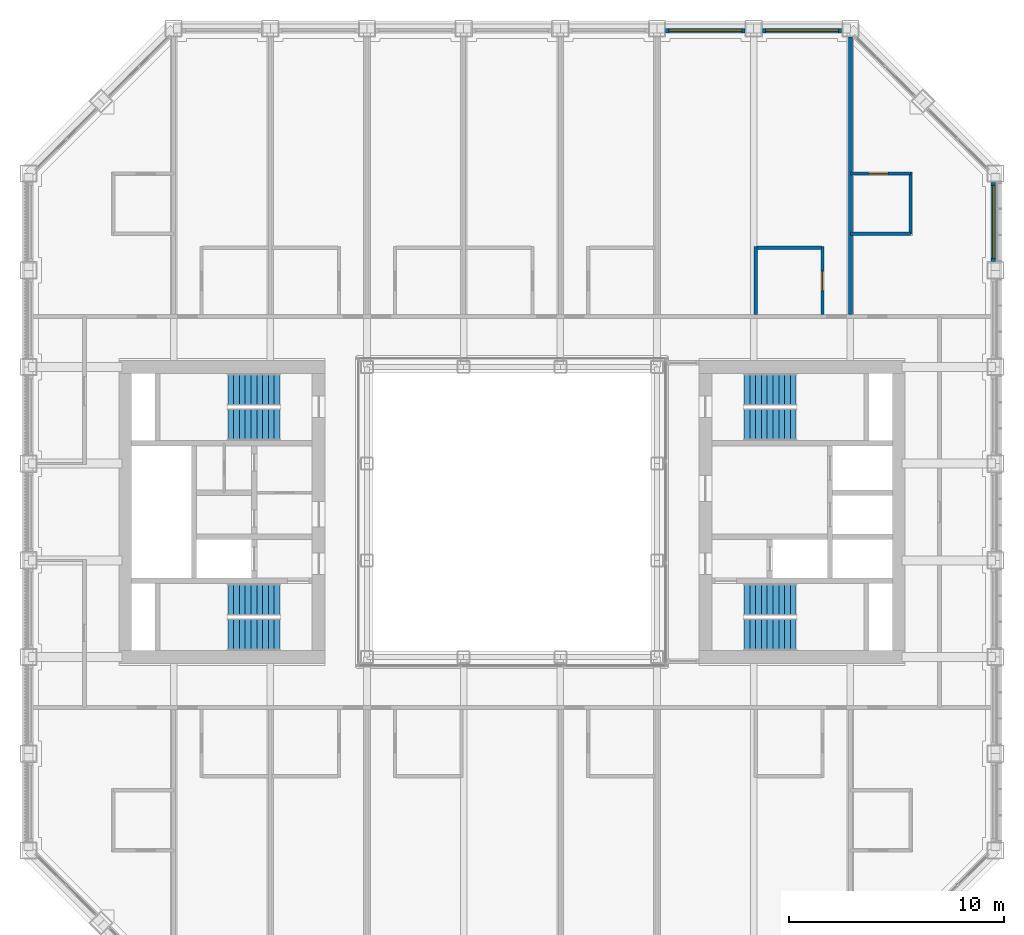
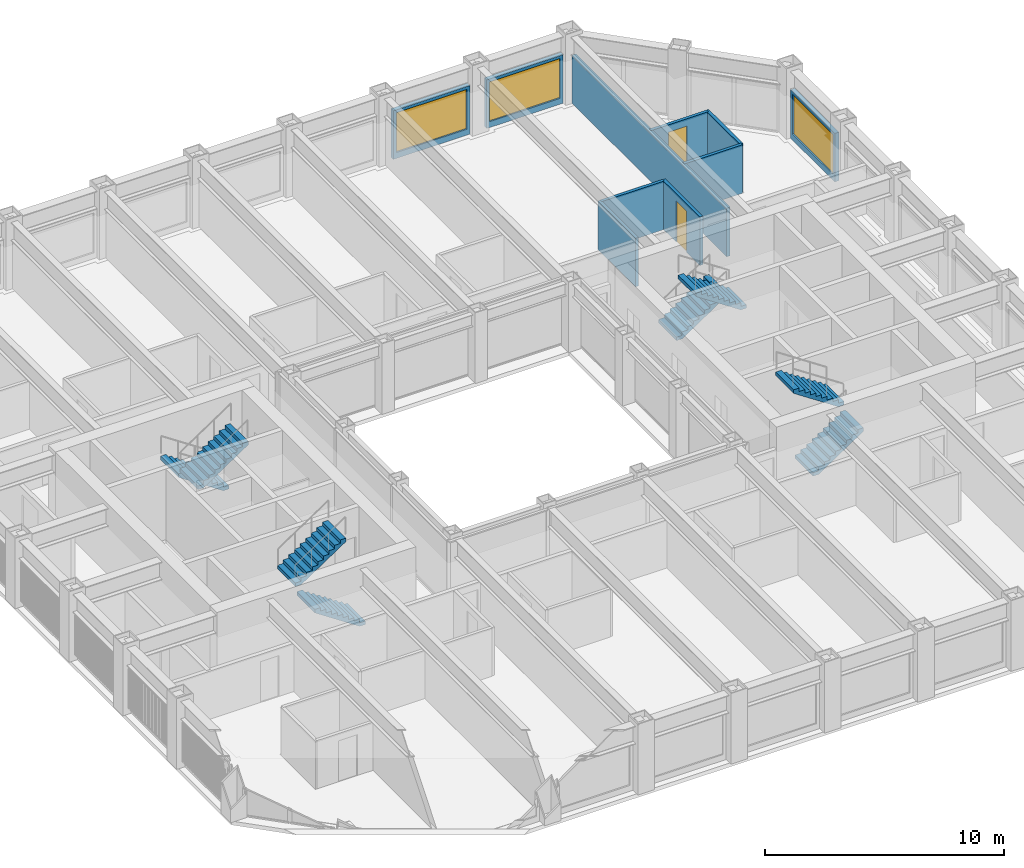
# One storey, part 14 of 17: 10 walls, 8 stair flights, 3 windows, 2 doors, 5 openings, 4 elements without a shape of their own.
"""IFC4 building model written with IfcOpenShell, lengths in metres."""

from ifc_helpers import new_model, si_unit, direction, frame, frame_2d, origin, place, context, subcontext, project, spatial, polyline, rectangle, outline, extrude, material, layer, layer_set, type_object, element, fill, aggregate, save


model = new_model("IFC4")

# Units and contexts
model_context = context("Model", 3, precision=1e-05, world=origin(), true_north=direction((0.0, 1.0)))
body_context = subcontext(model_context, "Body", "Model", "MODEL_VIEW")
ifc_project = project(units=[si_unit("LENGTHUNIT", "METRE"), si_unit("AREAUNIT", "SQUARE_METRE"), si_unit("VOLUMEUNIT", "CUBIC_METRE"), si_unit("PLANEANGLEUNIT", "RADIAN"), si_unit("MASSUNIT", "GRAM", prefix="KILO")], contexts=[model_context])

# Site, building, storey
site_placement = place(None, origin())
site = spatial("IfcSite", under=ifc_project, at=site_placement, CompositionType="ELEMENT")
building_placement = place(site_placement, origin())
building = spatial("IfcBuilding", under=site, at=building_placement, Name="Msasa Ring Tower", CompositionType="ELEMENT")
storey_placement = place(building_placement, frame((0.0, 0.0, 140.0)))
storey = spatial("IfcBuildingStorey", under=building, at=storey_placement, Name="L36", CompositionType="ELEMENT", Elevation=140.0)

# Wall, opening, window
ifc_material_1 = material(Name="Terracotta rainscreen on blockwork", Category="masonry")
ifc_layer_1 = layer(ifc_material_1, 0.199951171875)
ifc_layer_set_1 = layer_set([ifc_layer_1], Name="FW1 TERRACOTTA-LINED INFILL BAY WALL 200")
wall_type_1 = type_object("IfcWallType", Name="FW1 TERRACOTTA-LINED INFILL BAY WALL 200", PredefinedType="SOLIDWALL", material=ifc_layer_set_1)
wall_1_placement = place(storey_placement, frame((22.39990234375, 11.655029296875, 0.0), z_axis=(0.0, 0.0, 1.0), x_axis=(0.0, 1.0, 0.0)))
wall_1 = element("IfcWall", 1, at=wall_1_placement, inside=storey, type_object=wall_type_1, Name="Infill bay wall E L36 15", PredefinedType="SOLIDWALL", context=body_context, shape_type="SweptSolid", body=[
    extrude(rectangle(XDim=3.68994140625, YDim=0.199951171875, at=frame_2d((1.844970703125, 0.0))), origin(), (0.0, 0.0, 1.0), 2.47900390625),
])
opening_1_placement = place(wall_1_placement, frame((0.14501953125, 0.0, 0.300048828125)))
opening_1 = element("IfcOpeningElement", 2, at=opening_1_placement, cuts=wall_1, Name="Opening WN2", PredefinedType="OPENING", context=body_context, shape_type="SweptSolid", body=[
    extrude(rectangle(XDim=3.39990234375, YDim=2.029052734375, at=frame_2d((1.699951171875, 1.0146484375))), frame((0.0, 0.10986328125, 0.0), z_axis=(0.0, -1.0, 0.0), x_axis=(1.0, 0.0, 0.0)), (0.0, 0.0, 1.0), 0.219970703125),
])
ifc_material_2 = material(Name="Aluminium frame with clear glass", Category="aluminium")
window_type = type_object("IfcWindowType", Name="WN2 GUEST ROOM WINDOW 3400x2029", PartitioningType="SINGLE_PANEL", PredefinedType="WINDOW", material=ifc_material_2)
window_1_placement = place(opening_1_placement, origin())
window_1 = element("IfcWindow", 3, at=window_1_placement, inside=storey, type_object=window_type, Name="Window E L36 15", OverallHeight=2.029052734375, OverallWidth=3.39990234375, PartitioningType="SINGLE_PANEL", PredefinedType="WINDOW", context=body_context, shape_type="SweptSolid", body=[
    extrude(rectangle(XDim=3.39990234375, YDim=2.029052734375, at=frame_2d((1.699951171875, 1.0146484375))), frame((0.0, 0.030029296875, 0.0), z_axis=(0.0, -1.0, 0.0), x_axis=(1.0, 0.0, 0.0)), (0.0, 0.0, 1.0), 0.06005859375),
])
fill(opening_1, window_1)

wall_2_placement = place(storey_placement, frame((7.155029296875, 22.39990234375, 0.0), z_axis=(0.0, 0.0, 1.0), x_axis=(1.0, 0.0, 0.0)))
wall_2 = element("IfcWall", 4, at=wall_2_placement, inside=storey, type_object=wall_type_1, Name="Infill bay wall N L36 23", PredefinedType="SOLIDWALL", context=body_context, shape_type="SweptSolid", body=[
    extrude(rectangle(XDim=3.68994140625, YDim=0.199951171875, at=frame_2d((1.844970703125, 0.0))), origin(), (0.0, 0.0, 1.0), 2.47900390625),
])
opening_2_placement = place(wall_2_placement, frame((0.14501953125, 0.0, 0.300048828125)))
opening_2 = element("IfcOpeningElement", 5, at=opening_2_placement, cuts=wall_2, Name="Opening WN2", PredefinedType="OPENING", context=body_context, shape_type="SweptSolid", body=[
    extrude(rectangle(XDim=3.39990234375, YDim=2.029052734375, at=frame_2d((1.699951171875, 1.0146484375))), frame((0.0, 0.10986328125, 0.0), z_axis=(0.0, -1.0, 0.0), x_axis=(1.0, 0.0, 0.0)), (0.0, 0.0, 1.0), 0.219970703125),
])
window_2_placement = place(opening_2_placement, origin())
window_2 = element("IfcWindow", 6, at=window_2_placement, inside=storey, type_object=window_type, Name="Window N L36 23", OverallHeight=2.029052734375, OverallWidth=3.39990234375, PartitioningType="SINGLE_PANEL", PredefinedType="WINDOW", context=body_context, shape_type="SweptSolid", body=[
    extrude(rectangle(XDim=3.39990234375, YDim=2.029052734375, at=frame_2d((1.699951171875, 1.0146484375))), frame((0.0, 0.030029296875, 0.0), z_axis=(0.0, -1.0, 0.0), x_axis=(1.0, 0.0, 0.0)), (0.0, 0.0, 1.0), 0.06005859375),
])
fill(opening_2, window_2)

wall_3_placement = place(storey_placement, frame((11.655029296875, 22.39990234375, 0.0), z_axis=(0.0, 0.0, 1.0), x_axis=(1.0, 0.0, 0.0)))
wall_3 = element("IfcWall", 7, at=wall_3_placement, inside=storey, type_object=wall_type_1, Name="Infill bay wall N L36 24", PredefinedType="SOLIDWALL", context=body_context, shape_type="SweptSolid", body=[
    extrude(rectangle(XDim=3.68994140625, YDim=0.199951171875, at=frame_2d((1.844970703125, 0.0))), origin(), (0.0, 0.0, 1.0), 2.47900390625),
])
opening_3_placement = place(wall_3_placement, frame((0.14501953125, 0.0, 0.300048828125)))
opening_3 = element("IfcOpeningElement", 8, at=opening_3_placement, cuts=wall_3, Name="Opening WN2", PredefinedType="OPENING", context=body_context, shape_type="SweptSolid", body=[
    extrude(rectangle(XDim=3.39990234375, YDim=2.029052734375, at=frame_2d((1.699951171875, 1.0146484375))), frame((0.0, 0.10986328125, 0.0), z_axis=(0.0, -1.0, 0.0), x_axis=(1.0, 0.0, 0.0)), (0.0, 0.0, 1.0), 0.219970703125),
])
window_3_placement = place(opening_3_placement, origin())
window_3 = element("IfcWindow", 9, at=window_3_placement, inside=storey, type_object=window_type, Name="Window N L36 24", OverallHeight=2.029052734375, OverallWidth=3.39990234375, PartitioningType="SINGLE_PANEL", PredefinedType="WINDOW", context=body_context, shape_type="SweptSolid", body=[
    extrude(rectangle(XDim=3.39990234375, YDim=2.029052734375, at=frame_2d((1.699951171875, 1.0146484375))), frame((0.0, 0.030029296875, 0.0), z_axis=(0.0, -1.0, 0.0), x_axis=(1.0, 0.0, 0.0)), (0.0, 0.0, 1.0), 0.06005859375),
])
fill(opening_3, window_3)

# Wall, opening, door
ifc_material_3 = material(Name="Moisture-resistant board on steel studs with a concealed cistern and pipe void, tiled", Category="steel")
ifc_layer_2 = layer(ifc_material_3, 0.14990234375)
ifc_layer_set_2 = layer_set([ifc_layer_2], Name="PT4 BATHROOM WET WALL 150")
wall_type_2 = type_object("IfcWallType", Name="PT4 BATHROOM WET WALL 150", PredefinedType="PARTITIONING", material=ifc_layer_set_2)
wall_4_placement = place(storey_placement, frame((14.449951171875, 9.199951171875, 0.0), z_axis=(0.0, 0.0, 1.0), x_axis=(0.0, 1.0, 0.0)))
wall_4 = element("IfcWall", 10, at=wall_4_placement, inside=storey, type_object=wall_type_2, Name="Partition L36-GN05BX", PredefinedType="PARTITIONING", context=body_context, shape_type="SweptSolid", body=[
    extrude(rectangle(XDim=3.150146484375, YDim=0.14990234375, at=frame_2d((1.5751953125, 0.0))), origin(), (0.0, 0.0, 1.0), 2.473388671875),
])
opening_4_placement = place(wall_4_placement, frame((1.10009765625, 0.0, 0.0)))
opening_4 = element("IfcOpeningElement", 11, at=opening_4_placement, cuts=wall_4, Name="Opening HC-008", PredefinedType="OPENING", context=body_context, shape_type="SweptSolid", body=[
    extrude(rectangle(XDim=0.89990234375, YDim=2.10009765625, at=frame_2d((0.449951171875, 1.050048828125))), frame((0.0, 0.0849609375, 0.0), z_axis=(0.0, -1.0, 0.0), x_axis=(1.0, 0.0, 0.0)), (0.0, 0.0, 1.0), 0.169921875),
])
ifc_material_4 = material(Name="Timber door leaf in a steel frame", Category="steel")
door_type = type_object("IfcDoorType", Name="D3 BATHROOM DOOR 900x2100", OperationType="SINGLE_SWING_LEFT", PredefinedType="DOOR", material=ifc_material_4)
door_1_placement = place(opening_4_placement, origin())
door_1 = element("IfcDoor", 12, at=door_1_placement, inside=storey, type_object=door_type, Name="Door L36-GN05B", OperationType="SINGLE_SWING_LEFT", OverallHeight=2.10009765625, OverallWidth=0.89990234375, PredefinedType="DOOR", context=body_context, shape_type="SweptSolid", body=[
    extrude(rectangle(XDim=0.89990234375, YDim=2.10009765625, at=frame_2d((0.449951171875, 1.050048828125))), frame((0.0, 0.02490234375, 0.0), z_axis=(0.0, -1.0, 0.0), x_axis=(1.0, 0.0, 0.0)), (0.0, 0.0, 1.0), 0.050048828125),
])
fill(opening_4, door_1)

# Walls
wall_5_placement = place(storey_placement, frame((11.35009765625, 9.199951171875, 0.0), z_axis=(0.0, 0.0, 1.0), x_axis=(0.0, 1.0, 0.0)))
element("IfcWall", 13, at=wall_5_placement, inside=storey, type_object=wall_type_2, Name="Partition L36-GN05BF", PredefinedType="PARTITIONING", context=body_context, shape_type="SweptSolid", body=[
    extrude(rectangle(XDim=3.150146484375, YDim=0.14990234375, at=frame_2d((1.5751953125, 0.0))), origin(), (0.0, 0.0, 1.0), 2.473388671875),
])
wall_6_placement = place(storey_placement, frame((11.39990234375, 12.300048828125, 0.0), z_axis=(0.0, 0.0, 1.0), x_axis=(1.0, 0.0, 0.0)))
element("IfcWall", 14, at=wall_6_placement, inside=storey, type_object=wall_type_2, Name="Partition L36-GN05BY", PredefinedType="PARTITIONING", context=body_context, shape_type="SweptSolid", body=[
    extrude(rectangle(XDim=3.0, YDim=0.14990234375, at=frame_2d((1.5, 0.0))), origin(), (0.0, 0.0, 1.0), 2.473388671875),
])
wall_7_placement = place(storey_placement, frame((18.550048828125, 12.949951171875, 0.0), z_axis=(0.0, 0.0, 1.0), x_axis=(0.0, 1.0, 0.0)))
element("IfcWall", 15, at=wall_7_placement, inside=storey, type_object=wall_type_2, Name="Partition L36-CSNEBX", PredefinedType="PARTITIONING", context=body_context, shape_type="SweptSolid", body=[
    extrude(rectangle(XDim=2.875, YDim=0.14990234375, at=frame_2d((1.4375, 0.0))), origin(), (0.0, 0.0, 1.0), 2.473388671875),
])
wall_8_placement = place(storey_placement, frame((15.75, 12.949951171875, 0.0), z_axis=(0.0, 0.0, 1.0), x_axis=(1.0, 0.0, 0.0)))
element("IfcWall", 16, at=wall_8_placement, inside=storey, type_object=wall_type_2, Name="Partition L36-CSNEBY", PredefinedType="PARTITIONING", context=body_context, shape_type="SweptSolid", body=[
    extrude(rectangle(XDim=2.800048828125, YDim=0.14990234375, at=frame_2d((1.39990234375, 0.0))), origin(), (0.0, 0.0, 1.0), 2.473388671875),
])

# Wall, opening, door
wall_9_placement = place(storey_placement, frame((15.75, 15.75, 0.0), z_axis=(0.0, 0.0, 1.0), x_axis=(1.0, 0.0, 0.0)))
wall_9 = element("IfcWall", 17, at=wall_9_placement, inside=storey, type_object=wall_type_2, Name="Partition L36-CSNEBZ", PredefinedType="PARTITIONING", context=body_context, shape_type="SweptSolid", body=[
    extrude(rectangle(XDim=2.800048828125, YDim=0.14990234375, at=frame_2d((1.39990234375, 0.0))), origin(), (0.0, 0.0, 1.0), 2.473388671875),
])
opening_5_placement = place(wall_9_placement, frame((0.85009765625, 0.0, 0.0)))
opening_5 = element("IfcOpeningElement", 18, at=opening_5_placement, cuts=wall_9, Name="Opening HC-002", PredefinedType="OPENING", context=body_context, shape_type="SweptSolid", body=[
    extrude(rectangle(XDim=0.89990234375, YDim=2.10009765625, at=frame_2d((0.449951171875, 1.050048828125))), frame((0.0, 0.0849609375, 0.0), z_axis=(0.0, -1.0, 0.0), x_axis=(1.0, 0.0, 0.0)), (0.0, 0.0, 1.0), 0.169921875),
])
door_2_placement = place(opening_5_placement, origin())
door_2 = element("IfcDoor", 19, at=door_2_placement, inside=storey, type_object=door_type, Name="Door L36-CSNEB1", OperationType="SINGLE_SWING_LEFT", OverallHeight=2.10009765625, OverallWidth=0.89990234375, PredefinedType="DOOR", context=body_context, shape_type="SweptSolid", body=[
    extrude(rectangle(XDim=0.89990234375, YDim=2.10009765625, at=frame_2d((0.449951171875, 1.050048828125))), frame((0.0, 0.02490234375, 0.0), z_axis=(0.0, -1.0, 0.0), x_axis=(1.0, 0.0, 0.0)), (0.0, 0.0, 1.0), 0.050048828125),
])
fill(opening_5, door_2)

# Wall
ifc_material_5 = material(Name="Twin steel studs, two layers of acoustic board each face, mineral wool", Category="steel")
ifc_layer_3 = layer(ifc_material_5, 0.175048828125)
ifc_layer_set_3 = layer_set([ifc_layer_3], Name="PT5 GUEST ROOM SEPARATING WALL 175")
wall_type_3 = type_object("IfcWallType", Name="PT5 GUEST ROOM SEPARATING WALL 175", PredefinedType="PARTITIONING", material=ifc_layer_set_3)
wall_10_placement = place(storey_placement, frame((15.75, 9.199951171875, 0.0), z_axis=(0.0, 0.0, 1.0), x_axis=(0.0, 1.0, 0.0)))
element("IfcWall", 20, at=wall_10_placement, inside=storey, type_object=wall_type_3, Name="Partition L36-PWN+15.75", PredefinedType="PARTITIONING", context=body_context, shape_type="SweptSolid", body=[
    extrude(rectangle(XDim=12.900146484375, YDim=0.175048828125, at=frame_2d((6.4501953125, 0.0))), origin(), (0.0, 0.0, 1.0), 2.473388671875),
])

# Stair, stair flights
ifc_material_6 = material(Name="Concrete C40/50", Category="concrete")
stair_type = type_object("IfcStairType", Name="STC CORE STAIR 20 RISERS 180", PredefinedType="HALF_TURN_STAIR", material=ifc_material_6)
stair_1_placement = place(storey_placement, origin())
stair_1 = element("IfcStair", 21, at=stair_1_placement, inside=storey, type_object=stair_type, Name="Core stair SEA L36", PredefinedType="HALF_TURN_STAIR")
ifc_material_7 = material(Name="Concrete C40/50", Category="concrete")
stair_flight_type = type_object("IfcStairFlightType", Name="ST14 CORE STAIR FLIGHT 1500 10 RISERS 180", PredefinedType="STRAIGHT", material=ifc_material_7)
stair_flight_1_placement = place(storey_placement, frame((10.800048828125, -5.699951171875, 0.0), z_axis=(0.0, 0.0, 1.0), x_axis=(1.0, 0.0, 0.0)))
stair_flight_1 = element("IfcStairFlight", 22, at=stair_flight_1_placement, type_object=stair_flight_type, Name="SEA flight 1", NumberOfRisers=10, NumberOfTreads=9, PredefinedType="STRAIGHT", RiserHeight=0.18, TreadLength=0.27, context=body_context, shape_type="SweptSolid", body=[
    extrude(outline(polyline([(0.0, 0.0), (0.0, 0.179931640625), (0.27001953125, 0.179931640625), (0.27001953125, 0.360107421875), (0.5400390625, 0.360107421875), (0.5400390625, 0.5400390625), (0.81005859375, 0.5400390625), (0.81005859375, 0.719970703125), (1.080078125, 0.719970703125), (1.080078125, 0.89990234375), (1.35009765625, 0.89990234375), (1.35009765625, 1.080078125), (1.6201171875, 1.080078125), (1.6201171875, 1.260009765625), (1.889892578125, 1.260009765625), (1.889892578125, 1.43994140625), (2.159912109375, 1.43994140625), (2.159912109375, 1.6201171875), (2.429931640625, 1.6201171875), (2.429931640625, 1.800048828125), (2.429931640625, 1.43994140625), (0.270263671875, 0.0), (0.0, 0.0)])), frame((0.0, 0.75, 0.0), z_axis=(0.0, -1.0, 0.0), x_axis=(1.0, 0.0, 0.0)), (0.0, 0.0, 1.0), 1.5),
])
stair_flight_2_placement = place(storey_placement, frame((13.22998046875, -4.074951171875, 1.800048828125), z_axis=(0.0, 0.0, 1.0), x_axis=(-1.0, 0.0, 0.0)))
stair_flight_2 = element("IfcStairFlight", 23, at=stair_flight_2_placement, type_object=stair_flight_type, Name="SEA flight 2", NumberOfRisers=10, NumberOfTreads=9, PredefinedType="STRAIGHT", RiserHeight=0.18, TreadLength=0.27, context=body_context, shape_type="SweptSolid", body=[
    extrude(outline(polyline([(0.0, 0.0), (0.0, 0.179931640625), (0.27001953125, 0.179931640625), (0.27001953125, 0.360107421875), (0.5400390625, 0.360107421875), (0.5400390625, 0.5400390625), (0.81005859375, 0.5400390625), (0.81005859375, 0.719970703125), (1.080078125, 0.719970703125), (1.080078125, 0.89990234375), (1.35009765625, 0.89990234375), (1.35009765625, 1.080078125), (1.6201171875, 1.080078125), (1.6201171875, 1.260009765625), (1.889892578125, 1.260009765625), (1.889892578125, 1.43994140625), (2.159912109375, 1.43994140625), (2.159912109375, 1.6201171875), (2.429931640625, 1.6201171875), (2.429931640625, 1.800048828125), (2.429931640625, 1.43994140625), (0.270263671875, 0.0), (0.0, 0.0)])), frame((0.0, 0.75, 0.0), z_axis=(0.0, -1.0, 0.0), x_axis=(1.0, 0.0, 0.0)), (0.0, 0.0, 1.0), 1.5),
])
aggregate(stair_1, [stair_flight_1, stair_flight_2])

stair_2_placement = place(storey_placement, origin())
stair_2 = element("IfcStair", 24, at=stair_2_placement, inside=storey, type_object=stair_type, Name="Core stair SEB L36", PredefinedType="HALF_TURN_STAIR")
stair_flight_3_placement = place(storey_placement, frame((10.800048828125, 5.699951171875, 0.0), z_axis=(0.0, 0.0, 1.0), x_axis=(1.0, 0.0, 0.0)))
stair_flight_3 = element("IfcStairFlight", 25, at=stair_flight_3_placement, type_object=stair_flight_type, Name="SEB flight 1", NumberOfRisers=10, NumberOfTreads=9, PredefinedType="STRAIGHT", RiserHeight=0.18, TreadLength=0.27, context=body_context, shape_type="SweptSolid", body=[
    extrude(outline(polyline([(0.0, 0.0), (0.0, 0.179931640625), (0.27001953125, 0.179931640625), (0.27001953125, 0.360107421875), (0.5400390625, 0.360107421875), (0.5400390625, 0.5400390625), (0.81005859375, 0.5400390625), (0.81005859375, 0.719970703125), (1.080078125, 0.719970703125), (1.080078125, 0.89990234375), (1.35009765625, 0.89990234375), (1.35009765625, 1.080078125), (1.6201171875, 1.080078125), (1.6201171875, 1.260009765625), (1.889892578125, 1.260009765625), (1.889892578125, 1.43994140625), (2.159912109375, 1.43994140625), (2.159912109375, 1.6201171875), (2.429931640625, 1.6201171875), (2.429931640625, 1.800048828125), (2.429931640625, 1.43994140625), (0.270263671875, 0.0), (0.0, 0.0)])), frame((0.0, 0.75, 0.0), z_axis=(0.0, -1.0, 0.0), x_axis=(1.0, 0.0, 0.0)), (0.0, 0.0, 1.0), 1.5),
])
stair_flight_4_placement = place(storey_placement, frame((13.22998046875, 4.074951171875, 1.800048828125), z_axis=(0.0, 0.0, 1.0), x_axis=(-1.0, 0.0, 0.0)))
stair_flight_4 = element("IfcStairFlight", 26, at=stair_flight_4_placement, type_object=stair_flight_type, Name="SEB flight 2", NumberOfRisers=10, NumberOfTreads=9, PredefinedType="STRAIGHT", RiserHeight=0.18, TreadLength=0.27, context=body_context, shape_type="SweptSolid", body=[
    extrude(outline(polyline([(0.0, 0.0), (0.0, 0.179931640625), (0.27001953125, 0.179931640625), (0.27001953125, 0.360107421875), (0.5400390625, 0.360107421875), (0.5400390625, 0.5400390625), (0.81005859375, 0.5400390625), (0.81005859375, 0.719970703125), (1.080078125, 0.719970703125), (1.080078125, 0.89990234375), (1.35009765625, 0.89990234375), (1.35009765625, 1.080078125), (1.6201171875, 1.080078125), (1.6201171875, 1.260009765625), (1.889892578125, 1.260009765625), (1.889892578125, 1.43994140625), (2.159912109375, 1.43994140625), (2.159912109375, 1.6201171875), (2.429931640625, 1.6201171875), (2.429931640625, 1.800048828125), (2.429931640625, 1.43994140625), (0.270263671875, 0.0), (0.0, 0.0)])), frame((0.0, 0.75, 0.0), z_axis=(0.0, -1.0, 0.0), x_axis=(1.0, 0.0, 0.0)), (0.0, 0.0, 1.0), 1.5),
])
aggregate(stair_2, [stair_flight_3, stair_flight_4])

stair_3_placement = place(storey_placement, origin())
stair_3 = element("IfcStair", 27, at=stair_3_placement, inside=storey, type_object=stair_type, Name="Core stair SWA L36", PredefinedType="HALF_TURN_STAIR")
stair_flight_5_placement = place(storey_placement, frame((-10.800048828125, -5.699951171875, 0.0), z_axis=(0.0, 0.0, 1.0), x_axis=(-1.0, 0.0, 0.0)))
stair_flight_5 = element("IfcStairFlight", 28, at=stair_flight_5_placement, type_object=stair_flight_type, Name="SWA flight 1", NumberOfRisers=10, NumberOfTreads=9, PredefinedType="STRAIGHT", RiserHeight=0.18, TreadLength=0.27, context=body_context, shape_type="SweptSolid", body=[
    extrude(outline(polyline([(0.0, 0.0), (0.0, 0.179931640625), (0.27001953125, 0.179931640625), (0.27001953125, 0.360107421875), (0.5400390625, 0.360107421875), (0.5400390625, 0.5400390625), (0.81005859375, 0.5400390625), (0.81005859375, 0.719970703125), (1.080078125, 0.719970703125), (1.080078125, 0.89990234375), (1.35009765625, 0.89990234375), (1.35009765625, 1.080078125), (1.6201171875, 1.080078125), (1.6201171875, 1.260009765625), (1.889892578125, 1.260009765625), (1.889892578125, 1.43994140625), (2.159912109375, 1.43994140625), (2.159912109375, 1.6201171875), (2.429931640625, 1.6201171875), (2.429931640625, 1.800048828125), (2.429931640625, 1.43994140625), (0.270263671875, 0.0), (0.0, 0.0)])), frame((0.0, 0.75, 0.0), z_axis=(0.0, -1.0, 0.0), x_axis=(1.0, 0.0, 0.0)), (0.0, 0.0, 1.0), 1.5),
])
stair_flight_6_placement = place(storey_placement, frame((-13.22998046875, -4.074951171875, 1.800048828125), z_axis=(0.0, 0.0, 1.0), x_axis=(1.0, 0.0, 0.0)))
stair_flight_6 = element("IfcStairFlight", 29, at=stair_flight_6_placement, type_object=stair_flight_type, Name="SWA flight 2", NumberOfRisers=10, NumberOfTreads=9, PredefinedType="STRAIGHT", RiserHeight=0.18, TreadLength=0.27, context=body_context, shape_type="SweptSolid", body=[
    extrude(outline(polyline([(0.0, 0.0), (0.0, 0.179931640625), (0.27001953125, 0.179931640625), (0.27001953125, 0.360107421875), (0.5400390625, 0.360107421875), (0.5400390625, 0.5400390625), (0.81005859375, 0.5400390625), (0.81005859375, 0.719970703125), (1.080078125, 0.719970703125), (1.080078125, 0.89990234375), (1.35009765625, 0.89990234375), (1.35009765625, 1.080078125), (1.6201171875, 1.080078125), (1.6201171875, 1.260009765625), (1.889892578125, 1.260009765625), (1.889892578125, 1.43994140625), (2.159912109375, 1.43994140625), (2.159912109375, 1.6201171875), (2.429931640625, 1.6201171875), (2.429931640625, 1.800048828125), (2.429931640625, 1.43994140625), (0.270263671875, 0.0), (0.0, 0.0)])), frame((0.0, 0.75, 0.0), z_axis=(0.0, -1.0, 0.0), x_axis=(1.0, 0.0, 0.0)), (0.0, 0.0, 1.0), 1.5),
])
aggregate(stair_3, [stair_flight_5, stair_flight_6])

stair_4_placement = place(storey_placement, origin())
stair_4 = element("IfcStair", 30, at=stair_4_placement, inside=storey, type_object=stair_type, Name="Core stair SWB L36", PredefinedType="HALF_TURN_STAIR")
stair_flight_7_placement = place(storey_placement, frame((-10.800048828125, 5.699951171875, 0.0), z_axis=(0.0, 0.0, 1.0), x_axis=(-1.0, 0.0, 0.0)))
stair_flight_7 = element("IfcStairFlight", 31, at=stair_flight_7_placement, type_object=stair_flight_type, Name="SWB flight 1", NumberOfRisers=10, NumberOfTreads=9, PredefinedType="STRAIGHT", RiserHeight=0.18, TreadLength=0.27, context=body_context, shape_type="SweptSolid", body=[
    extrude(outline(polyline([(0.0, 0.0), (0.0, 0.179931640625), (0.27001953125, 0.179931640625), (0.27001953125, 0.360107421875), (0.5400390625, 0.360107421875), (0.5400390625, 0.5400390625), (0.81005859375, 0.5400390625), (0.81005859375, 0.719970703125), (1.080078125, 0.719970703125), (1.080078125, 0.89990234375), (1.35009765625, 0.89990234375), (1.35009765625, 1.080078125), (1.6201171875, 1.080078125), (1.6201171875, 1.260009765625), (1.889892578125, 1.260009765625), (1.889892578125, 1.43994140625), (2.159912109375, 1.43994140625), (2.159912109375, 1.6201171875), (2.429931640625, 1.6201171875), (2.429931640625, 1.800048828125), (2.429931640625, 1.43994140625), (0.270263671875, 0.0), (0.0, 0.0)])), frame((0.0, 0.75, 0.0), z_axis=(0.0, -1.0, 0.0), x_axis=(1.0, 0.0, 0.0)), (0.0, 0.0, 1.0), 1.5),
])
stair_flight_8_placement = place(storey_placement, frame((-13.22998046875, 4.074951171875, 1.800048828125), z_axis=(0.0, 0.0, 1.0), x_axis=(1.0, 0.0, 0.0)))
stair_flight_8 = element("IfcStairFlight", 32, at=stair_flight_8_placement, type_object=stair_flight_type, Name="SWB flight 2", NumberOfRisers=10, NumberOfTreads=9, PredefinedType="STRAIGHT", RiserHeight=0.18, TreadLength=0.27, context=body_context, shape_type="SweptSolid", body=[
    extrude(outline(polyline([(0.0, 0.0), (0.0, 0.179931640625), (0.27001953125, 0.179931640625), (0.27001953125, 0.360107421875), (0.5400390625, 0.360107421875), (0.5400390625, 0.5400390625), (0.81005859375, 0.5400390625), (0.81005859375, 0.719970703125), (1.080078125, 0.719970703125), (1.080078125, 0.89990234375), (1.35009765625, 0.89990234375), (1.35009765625, 1.080078125), (1.6201171875, 1.080078125), (1.6201171875, 1.260009765625), (1.889892578125, 1.260009765625), (1.889892578125, 1.43994140625), (2.159912109375, 1.43994140625), (2.159912109375, 1.6201171875), (2.429931640625, 1.6201171875), (2.429931640625, 1.800048828125), (2.429931640625, 1.43994140625), (0.270263671875, 0.0), (0.0, 0.0)])), frame((0.0, 0.75, 0.0), z_axis=(0.0, -1.0, 0.0), x_axis=(1.0, 0.0, 0.0)), (0.0, 0.0, 1.0), 1.5),
])
aggregate(stair_4, [stair_flight_7, stair_flight_8])

save(model, "model.ifc")
